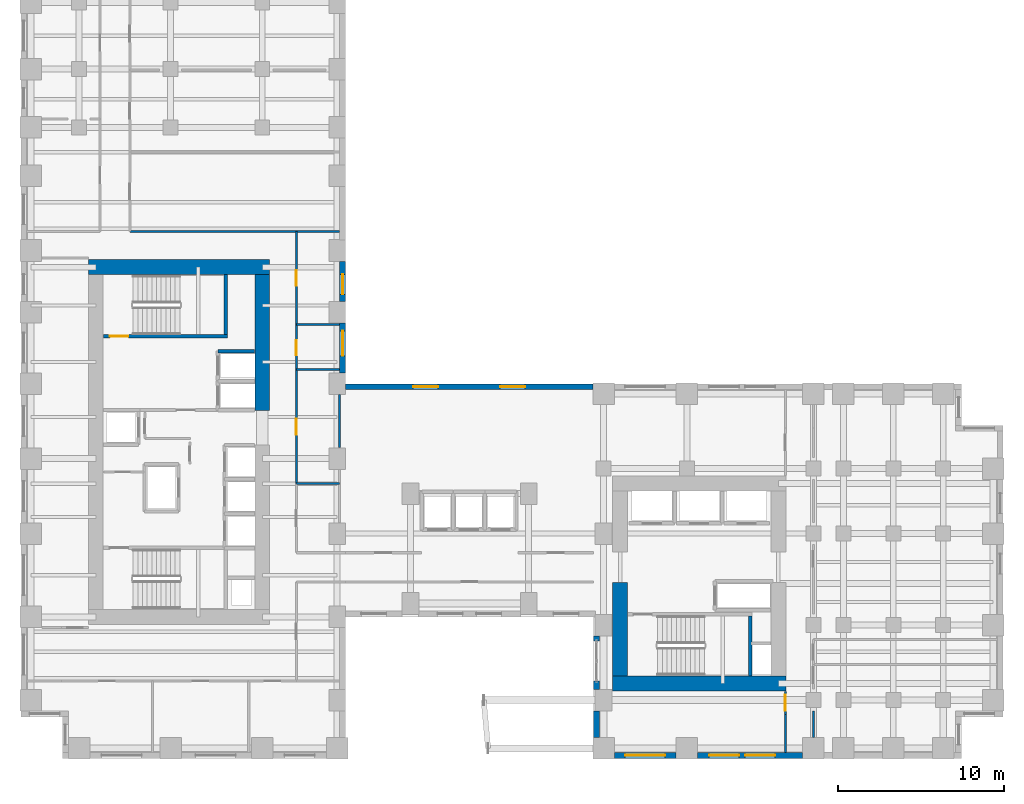
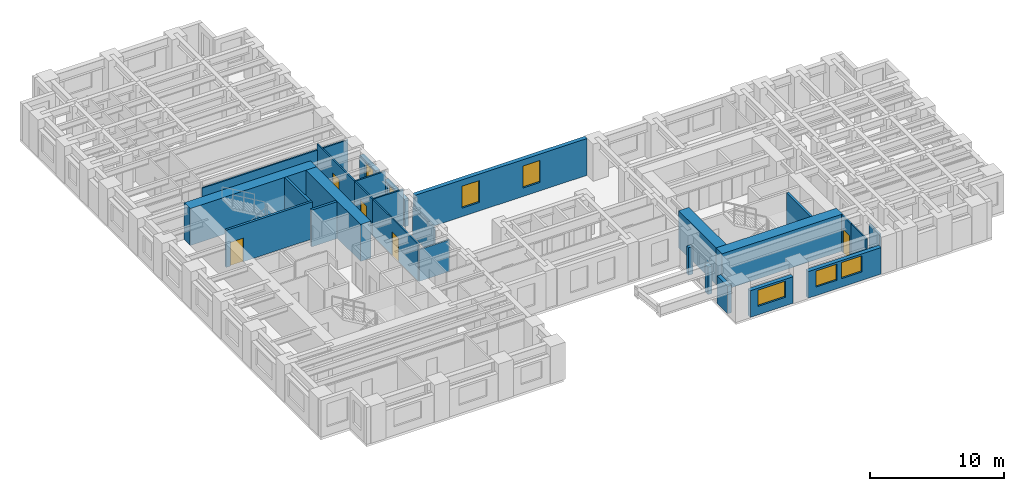
# One storey, part 9 of 14: 27 walls, 7 windows, 5 doors, 12 openings.
"""IFC4 building model written with IfcOpenShell, lengths in metres."""

from ifc_helpers import new_model, si_unit, direction, frame, frame_2d, origin, place, context, subcontext, project, spatial, rectangle, extrude, source, transform, mapped, material, layer, layer_set, type_object, element, fill, save


model = new_model("IFC4")

# Units and contexts
model_context = context("Model", 3, precision=1e-05, world=origin(), true_north=direction((0.0, 1.0)))
body_context = subcontext(model_context, "Body", "Model", "MODEL_VIEW")
ifc_project = project(units=[si_unit("LENGTHUNIT", "METRE"), si_unit("AREAUNIT", "SQUARE_METRE"), si_unit("VOLUMEUNIT", "CUBIC_METRE"), si_unit("PLANEANGLEUNIT", "RADIAN"), si_unit("MASSUNIT", "GRAM", prefix="KILO")], contexts=[model_context])

# Site, building, storey
site_placement = place(None, origin())
site = spatial("IfcSite", under=ifc_project, at=site_placement, CompositionType="ELEMENT")
building_placement = place(site_placement, origin())
building = spatial("IfcBuilding", under=site, at=building_placement, Name="Kharzan Plaza Tower", CompositionType="ELEMENT")
storey_placement = place(building_placement, frame((0.0, 0.0, 44.10009765625)))
storey = spatial("IfcBuildingStorey", under=building, at=storey_placement, Name="L11", CompositionType="ELEMENT", Elevation=44.10009765625)

# Wall, opening, window
ifc_material_1 = material(Name="Concrete C40/50", Category="concrete")
ifc_layer_1 = layer(ifc_material_1, 0.35009765625)
ifc_layer_set_1 = layer_set([ifc_layer_1], Name="Concrete C40/50")
wall_type_1 = type_object("IfcWallType", Name="WL-EXT-MAS-Z1", PredefinedType="SOLIDWALL", material=ifc_layer_set_1)
wall_1_placement = place(storey_placement, frame((35.64794921875, 0.175048828125, 0.0), z_axis=(0.0, 0.0, 1.0), x_axis=(1.0, 0.0, 0.0)))
wall_1 = element("IfcWall", 1, at=wall_1_placement, inside=storey, type_object=wall_type_1, Name="L11 Masonry-Frame Exterior Wall 34", PredefinedType="SOLIDWALL", context=body_context, shape_type="SweptSolid", body=[
    extrude(rectangle(XDim=3.7041015625, YDim=0.35009765625, at=frame_2d((1.85205078125, 0.0))), origin(), (0.0, 0.0, 1.0), 2.427978515625),
])
opening_1_placement = place(wall_1_placement, frame((0.652099609375, 0.0, 0.780029296875)))
opening_1 = element("IfcOpeningElement", 2, at=opening_1_placement, cuts=wall_1, Name="Opening W2", PredefinedType="OPENING", context=body_context, shape_type="SweptSolid", body=[
    extrude(rectangle(XDim=2.39990234375, YDim=1.468017578125, at=frame_2d((1.199951171875, 0.73388671875))), frame((0.0, 0.18505859375, 0.0), z_axis=(0.0, -1.0, 0.0), x_axis=(1.0, 0.0, 0.0)), (0.0, 0.0, 1.0), 0.3701171875),
])
ifc_material_2 = material(Name="Low-E Double Glazing", Category="glass")
window_type_1 = type_object("IfcWindowType", Name="WN-REC-2400x2100", PartitioningType="SINGLE_PANEL", PredefinedType="WINDOW", material=ifc_material_2)
shared_shape_1 = source(origin(), body_context, "Body", "SweptSolid", [
    extrude(rectangle(XDim=2.39990234375, YDim=1.468017578125, at=frame_2d((1.199951171875, 0.73388671875))), frame((0.0, 0.030029296875, 0.0), z_axis=(0.0, -1.0, 0.0), x_axis=(1.0, 0.0, 0.0)), (0.0, 0.0, 1.0), 0.06005859375),
])
window_1_placement = place(opening_1_placement, origin())
window_1 = element("IfcWindow", 3, at=window_1_placement, inside=storey, type_object=window_type_1, Name="L11 Wide Recessed Solar-Control Window 34-1", OverallHeight=1.468017578125, OverallWidth=2.39990234375, PartitioningType="SINGLE_PANEL", PredefinedType="WINDOW", context=body_context, shape_type="MappedRepresentation", body=[
    mapped(shared_shape_1, transform((0.0, 0.0, 0.0), x_axis=(1.0, 0.0, 0.0), y_axis=(0.0, 1.0, 0.0), z_axis=(0.0, 0.0, 1.0))),
])
fill(opening_1, window_1)

# Wall, openings, windows
wall_2_placement = place(storey_placement, frame((40.64794921875, 0.175048828125, 0.0), z_axis=(0.0, 0.0, 1.0), x_axis=(1.0, 0.0, 0.0)))
wall_2 = element("IfcWall", 4, at=wall_2_placement, inside=storey, type_object=wall_type_1, Name="L11 Masonry-Frame Exterior Wall 35", PredefinedType="SOLIDWALL", context=body_context, shape_type="SweptSolid", body=[
    extrude(rectangle(XDim=6.303955078125, YDim=0.35009765625, at=frame_2d((3.15185546875, 0.0))), origin(), (0.0, 0.0, 1.0), 2.427978515625),
])
opening_2_placement = place(wall_2_placement, frame((0.687255859375, 0.0, 0.780029296875)))
opening_2 = element("IfcOpeningElement", 5, at=opening_2_placement, cuts=wall_2, Name="Opening W1", PredefinedType="OPENING", context=body_context, shape_type="SweptSolid", body=[
    extrude(rectangle(XDim=1.800048828125, YDim=1.468017578125, at=frame_2d((0.89990234375, 0.73388671875))), frame((0.0, 0.18505859375, 0.0), z_axis=(0.0, -1.0, 0.0), x_axis=(1.0, 0.0, 0.0)), (0.0, 0.0, 1.0), 0.3701171875),
])
opening_3_placement = place(wall_2_placement, frame((2.854736328125, 0.0, 0.780029296875)))
opening_3 = element("IfcOpeningElement", 6, at=opening_3_placement, cuts=wall_2, Name="Opening W1", PredefinedType="OPENING", context=body_context, shape_type="SweptSolid", body=[
    extrude(rectangle(XDim=1.800048828125, YDim=1.468017578125, at=frame_2d((0.89990234375, 0.73388671875))), frame((0.0, 0.18505859375, 0.0), z_axis=(0.0, -1.0, 0.0), x_axis=(1.0, 0.0, 0.0)), (0.0, 0.0, 1.0), 0.3701171875),
])
window_type_2 = type_object("IfcWindowType", Name="WN-REC-1800x2100", PartitioningType="SINGLE_PANEL", PredefinedType="WINDOW", material=ifc_material_2)
shared_shape_2 = source(origin(), body_context, "Body", "SweptSolid", [
    extrude(rectangle(XDim=1.800048828125, YDim=1.468017578125, at=frame_2d((0.89990234375, 0.73388671875))), frame((0.0, 0.030029296875, 0.0), z_axis=(0.0, -1.0, 0.0), x_axis=(1.0, 0.0, 0.0)), (0.0, 0.0, 1.0), 0.06005859375),
])
window_2_placement = place(opening_2_placement, origin())
window_2 = element("IfcWindow", 7, at=window_2_placement, inside=storey, type_object=window_type_2, Name="L11 Recessed Solar-Control Window 35-1", OverallHeight=1.468017578125, OverallWidth=1.800048828125, PartitioningType="SINGLE_PANEL", PredefinedType="WINDOW", context=body_context, shape_type="MappedRepresentation", body=[
    mapped(shared_shape_2, transform((0.0, 0.0, 0.0), x_axis=(1.0, 0.0, 0.0), y_axis=(0.0, 1.0, 0.0), z_axis=(0.0, 0.0, 1.0))),
])
fill(opening_2, window_2)
window_3_placement = place(opening_3_placement, origin())
window_3 = element("IfcWindow", 8, at=window_3_placement, inside=storey, type_object=window_type_2, Name="L11 Recessed Solar-Control Window 35-2", OverallHeight=1.468017578125, OverallWidth=1.800048828125, PartitioningType="SINGLE_PANEL", PredefinedType="WINDOW", context=body_context, shape_type="MappedRepresentation", body=[
    mapped(shared_shape_2, transform((0.0, 0.0, 0.0), x_axis=(1.0, 0.0, 0.0), y_axis=(0.0, 1.0, 0.0), z_axis=(0.0, 0.0, 1.0))),
])
fill(opening_3, window_3)

wall_3_placement = place(storey_placement, frame((34.35205078125, 22.324951171875, 0.0), z_axis=(0.0, 0.0, 1.0), x_axis=(-1.0, 0.0, 0.0)))
wall_3 = element("IfcWall", 9, at=wall_3_placement, inside=storey, type_object=wall_type_1, Name="L11 Masonry-Frame Exterior Wall 54", PredefinedType="SOLIDWALL", context=body_context, shape_type="SweptSolid", body=[
    extrude(rectangle(XDim=14.85400390625, YDim=0.35009765625, at=frame_2d((7.427001953125, 0.0))), origin(), (0.0, 0.0, 1.0), 3.364990234375),
])
opening_4_placement = place(wall_3_placement, frame((4.05810546875, 0.0, 0.780029296875)))
opening_4 = element("IfcOpeningElement", 10, at=opening_4_placement, cuts=wall_3, Name="Opening W5", PredefinedType="OPENING", context=body_context, shape_type="SweptSolid", body=[
    extrude(rectangle(XDim=1.5, YDim=2.0, at=frame_2d((0.75, 1.0))), frame((0.0, 0.18505859375, 0.0), z_axis=(0.0, -1.0, 0.0), x_axis=(1.0, 0.0, 0.0)), (0.0, 0.0, 1.0), 0.3701171875),
])
opening_5_placement = place(wall_3_placement, frame((9.2958984375, 0.0, 0.780029296875)))
opening_5 = element("IfcOpeningElement", 11, at=opening_5_placement, cuts=wall_3, Name="Opening W5", PredefinedType="OPENING", context=body_context, shape_type="SweptSolid", body=[
    extrude(rectangle(XDim=1.5, YDim=2.0, at=frame_2d((0.75, 1.0))), frame((0.0, 0.18505859375, 0.0), z_axis=(0.0, -1.0, 0.0), x_axis=(1.0, 0.0, 0.0)), (0.0, 0.0, 1.0), 0.3701171875),
])
window_type_3 = type_object("IfcWindowType", Name="WN-SLT-1500x2000", PartitioningType="SINGLE_PANEL", PredefinedType="WINDOW", material=ifc_material_2)
shared_shape_3 = source(origin(), body_context, "Body", "SweptSolid", [
    extrude(rectangle(XDim=1.5, YDim=2.0, at=frame_2d((0.75, 1.0))), frame((0.0, 0.030029296875, 0.0), z_axis=(0.0, -1.0, 0.0), x_axis=(1.0, 0.0, 0.0)), (0.0, 0.0, 1.0), 0.06005859375),
])
window_4_placement = place(opening_4_placement, origin())
window_4 = element("IfcWindow", 12, at=window_4_placement, inside=storey, type_object=window_type_3, Name="L11 Recessed Solar-Control Window 54-1", OverallHeight=2.0, OverallWidth=1.5, PartitioningType="SINGLE_PANEL", PredefinedType="WINDOW", context=body_context, shape_type="MappedRepresentation", body=[
    mapped(shared_shape_3, transform((0.0, 0.0, 0.0), x_axis=(1.0, 0.0, 0.0), y_axis=(0.0, 1.0, 0.0), z_axis=(0.0, 0.0, 1.0))),
])
fill(opening_4, window_4)
window_5_placement = place(opening_5_placement, origin())
window_5 = element("IfcWindow", 13, at=window_5_placement, inside=storey, type_object=window_type_3, Name="L11 Recessed Solar-Control Window 54-2", OverallHeight=2.0, OverallWidth=1.5, PartitioningType="SINGLE_PANEL", PredefinedType="WINDOW", context=body_context, shape_type="MappedRepresentation", body=[
    mapped(shared_shape_3, transform((0.0, 0.0, 0.0), x_axis=(1.0, 0.0, 0.0), y_axis=(0.0, 1.0, 0.0), z_axis=(0.0, 0.0, 1.0))),
])
fill(opening_5, window_5)

# Wall, opening, window
wall_4_placement = place(storey_placement, frame((19.324951171875, 23.14794921875, 0.0), z_axis=(0.0, 0.0, 1.0), x_axis=(0.0, 1.0, 0.0)))
wall_4 = element("IfcWall", 14, at=wall_4_placement, inside=storey, type_object=wall_type_1, Name="L11 Masonry-Frame Exterior Wall 55", PredefinedType="SOLIDWALL", context=body_context, shape_type="SweptSolid", body=[
    extrude(rectangle(XDim=3.004150390625, YDim=0.35009765625, at=frame_2d((1.501953125, 0.0))), origin(), (0.0, 0.0, 1.0), 2.510009765625),
])
opening_6_placement = place(wall_4_placement, frame((1.030517578125, 0.0, 0.780029296875)))
opening_6 = element("IfcOpeningElement", 15, at=opening_6_placement, cuts=wall_4, Name="Opening W5", PredefinedType="OPENING", context=body_context, shape_type="SweptSolid", body=[
    extrude(rectangle(XDim=1.5, YDim=1.550048828125, at=frame_2d((0.75, 0.77490234375))), frame((0.0, 0.18505859375, 0.0), z_axis=(0.0, -1.0, 0.0), x_axis=(1.0, 0.0, 0.0)), (0.0, 0.0, 1.0), 0.3701171875),
])
shared_shape_4 = source(origin(), body_context, "Body", "SweptSolid", [
    extrude(rectangle(XDim=1.5, YDim=1.550048828125, at=frame_2d((0.75, 0.77490234375))), frame((0.0, 0.030029296875, 0.0), z_axis=(0.0, -1.0, 0.0), x_axis=(1.0, 0.0, 0.0)), (0.0, 0.0, 1.0), 0.06005859375),
])
window_6_placement = place(opening_6_placement, origin())
window_6 = element("IfcWindow", 16, at=window_6_placement, inside=storey, type_object=window_type_3, Name="L11 Recessed Solar-Control Window 55-1", OverallHeight=1.550048828125, OverallWidth=1.5, PartitioningType="SINGLE_PANEL", PredefinedType="WINDOW", context=body_context, shape_type="MappedRepresentation", body=[
    mapped(shared_shape_4, transform((0.0, 0.0, 0.0), x_axis=(1.0, 0.0, 0.0), y_axis=(0.0, 1.0, 0.0), z_axis=(0.0, 0.0, 1.0))),
])
fill(opening_6, window_6)

wall_5_placement = place(storey_placement, frame((19.324951171875, 27.447998046875, 0.0), z_axis=(0.0, 0.0, 1.0), x_axis=(0.0, 1.0, 0.0)))
wall_5 = element("IfcWall", 17, at=wall_5_placement, inside=storey, type_object=wall_type_1, Name="L11 Masonry-Frame Exterior Wall 56", PredefinedType="SOLIDWALL", context=body_context, shape_type="SweptSolid", body=[
    extrude(rectangle(XDim=2.404052734375, YDim=0.35009765625, at=frame_2d((1.2021484375, 0.0))), origin(), (0.0, 0.0, 1.0), 2.510009765625),
])
opening_7_placement = place(wall_5_placement, frame((0.417236328125, 0.0, 0.780029296875)))
opening_7 = element("IfcOpeningElement", 18, at=opening_7_placement, cuts=wall_5, Name="Opening W3", PredefinedType="OPENING", context=body_context, shape_type="SweptSolid", body=[
    extrude(rectangle(XDim=1.199951171875, YDim=1.550048828125, at=frame_2d((0.60009765625, 0.77490234375))), frame((0.0, 0.18505859375, 0.0), z_axis=(0.0, -1.0, 0.0), x_axis=(1.0, 0.0, 0.0)), (0.0, 0.0, 1.0), 0.3701171875),
])
window_type_4 = type_object("IfcWindowType", Name="WN-REC-1200x2100", PartitioningType="SINGLE_PANEL", PredefinedType="WINDOW", material=ifc_material_2)
shared_shape_5 = source(origin(), body_context, "Body", "SweptSolid", [
    extrude(rectangle(XDim=1.199951171875, YDim=1.550048828125, at=frame_2d((0.60009765625, 0.77490234375))), frame((0.0, 0.030029296875, 0.0), z_axis=(0.0, -1.0, 0.0), x_axis=(1.0, 0.0, 0.0)), (0.0, 0.0, 1.0), 0.06005859375),
])
window_7_placement = place(opening_7_placement, origin())
window_7 = element("IfcWindow", 19, at=window_7_placement, inside=storey, type_object=window_type_4, Name="L11 Recessed Solar-Control Window 56-1", OverallHeight=1.550048828125, OverallWidth=1.199951171875, PartitioningType="SINGLE_PANEL", PredefinedType="WINDOW", context=body_context, shape_type="MappedRepresentation", body=[
    mapped(shared_shape_5, transform((0.0, 0.0, 0.0), x_axis=(1.0, 0.0, 0.0), y_axis=(0.0, 1.0, 0.0), z_axis=(0.0, 0.0, 1.0))),
])
fill(opening_7, window_7)

# Wall, opening, door
ifc_material_3 = material(Name="Fire-Rated Gypsum Board Partition", Category="gypsum")
ifc_layer_2 = layer(ifc_material_3, 0.125)
ifc_layer_set_2 = layer_set([ifc_layer_2], Name="Fire-Rated Gypsum Board Partition")
wall_type_2 = type_object("IfcWallType", Name="WL-INT-PART-125", PredefinedType="PARTITIONING", material=ifc_layer_set_2)
wall_6_placement = place(storey_placement, frame((16.550048828125, 16.5, 0.0), z_axis=(0.0, 0.0, 1.0), x_axis=(0.0, 1.0, 0.0)))
wall_6 = element("IfcWall", 20, at=wall_6_placement, inside=storey, type_object=wall_type_2, Name="L11 Interior Partition SH-AEWN2", PredefinedType="PARTITIONING", context=body_context, shape_type="SweptSolid", body=[
    extrude(rectangle(XDim=6.85009765625, YDim=0.125, at=frame_2d((3.425048828125, 0.0))), origin(), (0.0, 0.0, 1.0), 3.364990234375),
])
opening_8_placement = place(wall_6_placement, frame((2.949951171875, 0.0, 0.0)))
opening_8 = element("IfcOpeningElement", 21, at=opening_8_placement, cuts=wall_6, Name="Opening OD1", PredefinedType="OPENING", context=body_context, shape_type="SweptSolid", body=[
    extrude(rectangle(XDim=0.949951171875, YDim=2.14990234375, at=frame_2d((0.47509765625, 1.074951171875))), frame((0.0, 0.072509765625, 0.0), z_axis=(0.0, -1.0, 0.0), x_axis=(1.0, 0.0, 0.0)), (0.0, 0.0, 1.0), 0.14501953125),
])
ifc_material_4 = material(Name="Acoustic Solid-Core Stained Oak", Category="timber")
door_type_1 = type_object("IfcDoorType", Name="DR-OFF-SINGLE", OperationType="NOTDEFINED", PredefinedType="DOOR", material=ifc_material_4)
shared_shape_6 = source(origin(), body_context, "Body", "SweptSolid", [
    extrude(rectangle(XDim=0.949951171875, YDim=2.14990234375, at=frame_2d((0.47509765625, 1.074951171875))), frame((0.0, 0.02490234375, 0.0), z_axis=(0.0, -1.0, 0.0), x_axis=(1.0, 0.0, 0.0)), (0.0, 0.0, 1.0), 0.050048828125),
])
door_1_placement = place(opening_8_placement, origin())
door_1 = element("IfcDoor", 22, at=door_1_placement, inside=storey, type_object=door_type_1, Name="L11 Slot Studio Door", OperationType="SINGLE_SWING_LEFT", OverallHeight=2.14990234375, OverallWidth=0.949951171875, PredefinedType="DOOR", context=body_context, shape_type="MappedRepresentation", body=[
    mapped(shared_shape_6, transform((0.0, 0.0, 0.0), x_axis=(1.0, 0.0, 0.0), y_axis=(0.0, 1.0, 0.0), z_axis=(0.0, 0.0, 1.0))),
])
fill(opening_8, door_1)

wall_7_placement = place(storey_placement, frame((16.550048828125, 26.050048828125, 0.0), z_axis=(0.0, 0.0, 1.0), x_axis=(0.0, 1.0, 0.0)))
wall_7 = element("IfcWall", 23, at=wall_7_placement, inside=storey, type_object=wall_type_2, Name="L11 Interior Partition SH-AEWN3", PredefinedType="PARTITIONING", context=body_context, shape_type="SweptSolid", body=[
    extrude(rectangle(XDim=5.599853515625, YDim=0.125, at=frame_2d((2.7998046875, 0.0))), origin(), (0.0, 0.0, 1.0), 3.364990234375),
])
opening_9_placement = place(wall_7_placement, frame((2.324951171875, 0.0, 0.0)))
opening_9 = element("IfcOpeningElement", 24, at=opening_9_placement, cuts=wall_7, Name="Opening OD1", PredefinedType="OPENING", context=body_context, shape_type="SweptSolid", body=[
    extrude(rectangle(XDim=0.949951171875, YDim=2.14990234375, at=frame_2d((0.47509765625, 1.074951171875))), frame((0.0, 0.072509765625, 0.0), z_axis=(0.0, -1.0, 0.0), x_axis=(1.0, 0.0, 0.0)), (0.0, 0.0, 1.0), 0.14501953125),
])
door_2_placement = place(opening_9_placement, origin())
door_2 = element("IfcDoor", 25, at=door_2_placement, inside=storey, type_object=door_type_1, Name="L11 Staff Tea Point Door", OperationType="SINGLE_SWING_LEFT", OverallHeight=2.14990234375, OverallWidth=0.949951171875, PredefinedType="DOOR", context=body_context, shape_type="MappedRepresentation", body=[
    mapped(shared_shape_6, transform((0.0, 0.0, 0.0), x_axis=(1.0, 0.0, 0.0), y_axis=(0.0, 1.0, 0.0), z_axis=(0.0, 0.0, 1.0))),
])
fill(opening_9, door_2)

wall_8_placement = place(storey_placement, frame((16.550048828125, 23.35009765625, 0.0), z_axis=(0.0, 0.0, 1.0), x_axis=(0.0, 1.0, 0.0)))
wall_8 = element("IfcWall", 26, at=wall_8_placement, inside=storey, type_object=wall_type_2, Name="L11 Interior Partition SH-AEWW", PredefinedType="PARTITIONING", context=body_context, shape_type="SweptSolid", body=[
    extrude(rectangle(XDim=2.699951171875, YDim=0.125, at=frame_2d((1.35009765625, 0.0))), origin(), (0.0, 0.0, 1.0), 3.364990234375),
])
opening_10_placement = place(wall_8_placement, frame((0.875, 0.0, 0.0)))
opening_10 = element("IfcOpeningElement", 27, at=opening_10_placement, cuts=wall_8, Name="Opening WD1", PredefinedType="OPENING", context=body_context, shape_type="SweptSolid", body=[
    extrude(rectangle(XDim=0.89990234375, YDim=2.14990234375, at=frame_2d((0.449951171875, 1.074951171875))), frame((0.0, 0.072509765625, 0.0), z_axis=(0.0, -1.0, 0.0), x_axis=(1.0, 0.0, 0.0)), (0.0, 0.0, 1.0), 0.14501953125),
])
ifc_material_5 = material(Name="Moisture-Resistant Fire-Rated Laminate", Category="timber")
door_type_2 = type_object("IfcDoorType", Name="DR-WC-900", OperationType="NOTDEFINED", PredefinedType="DOOR", material=ifc_material_5)
shared_shape_7 = source(origin(), body_context, "Body", "SweptSolid", [
    extrude(rectangle(XDim=0.89990234375, YDim=2.14990234375, at=frame_2d((0.449951171875, 1.074951171875))), frame((0.0, 0.02490234375, 0.0), z_axis=(0.0, -1.0, 0.0), x_axis=(1.0, 0.0, 0.0)), (0.0, 0.0, 1.0), 0.050048828125),
])
door_3_placement = place(opening_10_placement, origin())
door_3 = element("IfcDoor", 28, at=door_3_placement, inside=storey, type_object=door_type_2, Name="L11 Wing A Washroom Door", OperationType="SINGLE_SWING_RIGHT", OverallHeight=2.14990234375, OverallWidth=0.89990234375, PredefinedType="DOOR", context=body_context, shape_type="MappedRepresentation", body=[
    mapped(shared_shape_7, transform((0.0, 0.0, 0.0), x_axis=(1.0, 0.0, 0.0), y_axis=(0.0, 1.0, 0.0), z_axis=(0.0, 0.0, 1.0))),
])
fill(opening_10, door_3)

wall_9_placement = place(storey_placement, frame((45.919921875, 2.64990234375, 0.0), z_axis=(0.0, 0.0, 1.0), x_axis=(0.0, 1.0, 0.0)))
wall_9 = element("IfcWall", 29, at=wall_9_placement, inside=storey, type_object=wall_type_2, Name="L11 Interior Partition SH-RBSE", PredefinedType="PARTITIONING", context=body_context, shape_type="SweptSolid", body=[
    extrude(rectangle(XDim=1.3701171875, YDim=0.125, at=frame_2d((0.68505859375, 0.0))), origin(), (0.0, 0.0, 1.0), 3.364990234375),
])
opening_11_placement = place(wall_9_placement, frame((0.22509765625, 0.0, 0.0)))
opening_11 = element("IfcOpeningElement", 30, at=opening_11_placement, cuts=wall_9, Name="Opening OD1", PredefinedType="OPENING", context=body_context, shape_type="SweptSolid", body=[
    extrude(rectangle(XDim=0.949951171875, YDim=2.14990234375, at=frame_2d((0.47509765625, 1.074951171875))), frame((0.0, 0.072509765625, 0.0), z_axis=(0.0, -1.0, 0.0), x_axis=(1.0, 0.0, 0.0)), (0.0, 0.0, 1.0), 0.14501953125),
])
door_4_placement = place(opening_11_placement, origin())
door_4 = element("IfcDoor", 31, at=door_4_placement, inside=storey, type_object=door_type_1, Name="L11 South-East Corner Office Door", OperationType="SINGLE_SWING_LEFT", OverallHeight=2.14990234375, OverallWidth=0.949951171875, PredefinedType="DOOR", context=body_context, shape_type="MappedRepresentation", body=[
    mapped(shared_shape_6, transform((0.0, 0.0, 0.0), x_axis=(1.0, 0.0, 0.0), y_axis=(0.0, 1.0, 0.0), z_axis=(0.0, 0.0, 1.0))),
])
fill(opening_11, door_4)

ifc_material_6 = material(Name="Concrete C50/60", Category="concrete")
ifc_layer_3 = layer(ifc_material_6, 0.199951171875)
ifc_layer_set_3 = layer_set([ifc_layer_3], Name="Concrete C50/60")
wall_type_3 = type_object("IfcWallType", Name="WL-SHAFT-RC200", PredefinedType="SHEAR", material=ifc_layer_set_3)
wall_10_placement = place(storey_placement, frame((4.951904296875, 25.344970703125, 0.0), z_axis=(0.0, 0.0, 1.0), x_axis=(1.0, 0.0, 0.0)))
wall_10 = element("IfcWall", 32, at=wall_10_placement, inside=storey, type_object=wall_type_3, Name="L11 Stair ST-2 South RC Shaft Wall", PredefinedType="SHEAR", context=body_context, shape_type="SweptSolid", body=[
    extrude(rectangle(XDim=7.453125, YDim=0.199951171875, at=frame_2d((3.7265625, 0.0))), origin(), (0.0, 0.0, 1.0), 3.3798828125),
])
opening_12_placement = place(wall_10_placement, frame((0.39990234375, 0.0, 0.0)))
opening_12 = element("IfcOpeningElement", 33, at=opening_12_placement, cuts=wall_10, Name="Opening SD1", PredefinedType="OPENING", context=body_context, shape_type="SweptSolid", body=[
    extrude(rectangle(XDim=1.10009765625, YDim=2.14990234375, at=frame_2d((0.550048828125, 1.074951171875))), frame((0.0, 0.10986328125, 0.0), z_axis=(0.0, -1.0, 0.0), x_axis=(1.0, 0.0, 0.0)), (0.0, 0.0, 1.0), 0.219970703125),
])
ifc_material_7 = material(Name="Fire-Rated Hollow Galvanized Steel", Category="steel")
door_type_3 = type_object("IfcDoorType", Name="DR-STAIR-FD120", OperationType="NOTDEFINED", PredefinedType="DOOR", material=ifc_material_7)
shared_shape_8 = source(origin(), body_context, "Body", "SweptSolid", [
    extrude(rectangle(XDim=1.10009765625, YDim=2.14990234375, at=frame_2d((0.550048828125, 1.074951171875))), frame((0.0, 0.02490234375, 0.0), z_axis=(0.0, -1.0, 0.0), x_axis=(1.0, 0.0, 0.0)), (0.0, 0.0, 1.0), 0.050048828125),
])
door_5_placement = place(opening_12_placement, origin())
door_5 = element("IfcDoor", 34, at=door_5_placement, inside=storey, type_object=door_type_3, Name="L11 Stair ST-2 Fire Exit Door", OperationType="SINGLE_SWING_LEFT", OverallHeight=2.14990234375, OverallWidth=1.10009765625, PredefinedType="DOOR", context=body_context, shape_type="MappedRepresentation", body=[
    mapped(shared_shape_8, transform((0.0, 0.0, 0.0), x_axis=(1.0, 0.0, 0.0), y_axis=(0.0, 1.0, 0.0), z_axis=(0.0, 0.0, 1.0))),
])
fill(opening_12, door_5)

# Walls
ifc_material_8 = material(Name="Concrete C60/75", Category="concrete")
ifc_layer_4 = layer(ifc_material_8, 0.89990234375)
ifc_layer_set_4 = layer_set([ifc_layer_4], Name="Concrete C60/75")
wall_type_4 = type_object("IfcWallType", Name="WL-CORE-900", PredefinedType="SHEAR", material=ifc_layer_set_4)
shared_shape_9 = source(origin(), body_context, "Body", "SweptSolid", [
    extrude(rectangle(XDim=8.170166015625, YDim=0.89990234375, at=frame_2d((4.0849609375, 0.0))), origin(), (0.0, 0.0, 1.0), 3.3798828125),
])
wall_11_placement = place(storey_placement, frame((14.5, 20.8798828125, 0.0), z_axis=(0.0, 0.0, 1.0), x_axis=(0.0, 1.0, 0.0)))
element("IfcWall", 35, at=wall_11_placement, inside=storey, type_object=wall_type_4, Name="L11 CORE-A east shear pier 2", PredefinedType="SHEAR", context=body_context, shape_type="MappedRepresentation", body=[
    mapped(shared_shape_9, transform((0.0, 0.0, 0.0), x_axis=(1.0, 0.0, 0.0), y_axis=(0.0, 1.0, 0.0), z_axis=(0.0, 0.0, 1.0))),
])
shared_shape_10 = source(origin(), body_context, "Body", "SweptSolid", [
    extrude(rectangle(XDim=10.89990234375, YDim=0.89990234375, at=frame_2d((5.449951171875, 0.0))), origin(), (0.0, 0.0, 1.0), 3.3798828125),
])
wall_12_placement = place(storey_placement, frame((4.050048828125, 29.5, 0.0), z_axis=(0.0, 0.0, 1.0), x_axis=(1.0, 0.0, 0.0)))
element("IfcWall", 36, at=wall_12_placement, inside=storey, type_object=wall_type_4, Name="L11 CORE-A north RC shear wall", PredefinedType="SHEAR", context=body_context, shape_type="MappedRepresentation", body=[
    mapped(shared_shape_10, transform((0.0, 0.0, 0.0), x_axis=(1.0, 0.0, 0.0), y_axis=(0.0, 1.0, 0.0), z_axis=(0.0, 0.0, 1.0))),
])
shared_shape_11 = source(origin(), body_context, "Body", "SweptSolid", [
    extrude(rectangle(XDim=5.60009765625, YDim=0.89990234375, at=frame_2d((2.800048828125, 0.0))), origin(), (0.0, 0.0, 1.0), 3.3798828125),
])
wall_13_placement = place(storey_placement, frame((36.0, 4.949951171875, 0.0), z_axis=(0.0, 0.0, 1.0), x_axis=(0.0, 1.0, 0.0)))
element("IfcWall", 37, at=wall_13_placement, inside=storey, type_object=wall_type_4, Name="L11 CORE-B west shear pier 1", PredefinedType="SHEAR", context=body_context, shape_type="MappedRepresentation", body=[
    mapped(shared_shape_11, transform((0.0, 0.0, 0.0), x_axis=(1.0, 0.0, 0.0), y_axis=(0.0, 1.0, 0.0), z_axis=(0.0, 0.0, 1.0))),
])
shared_shape_12 = source(origin(), body_context, "Body", "SweptSolid", [
    extrude(rectangle(XDim=10.39990234375, YDim=0.89990234375, at=frame_2d((5.199951171875, 0.0))), origin(), (0.0, 0.0, 1.0), 3.3798828125),
])
wall_14_placement = place(storey_placement, frame((35.550048828125, 4.5, 0.0), z_axis=(0.0, 0.0, 1.0), x_axis=(1.0, 0.0, 0.0)))
element("IfcWall", 38, at=wall_14_placement, inside=storey, type_object=wall_type_4, Name="L11 CORE-B south RC shear wall", PredefinedType="SHEAR", context=body_context, shape_type="MappedRepresentation", body=[
    mapped(shared_shape_12, transform((0.0, 0.0, 0.0), x_axis=(1.0, 0.0, 0.0), y_axis=(0.0, 1.0, 0.0), z_axis=(0.0, 0.0, 1.0))),
])
shared_shape_13 = source(origin(), body_context, "Body", "SweptSolid", [
    extrude(rectangle(XDim=1.60400390625, YDim=0.35009765625, at=frame_2d((0.802001953125, 0.0))), origin(), (0.0, 0.0, 1.0), 2.510009765625),
])
wall_15_placement = place(storey_placement, frame((34.574951171875, 2.85205078125, 0.0), z_axis=(0.0, 0.0, 1.0), x_axis=(0.0, -1.0, 0.0)))
element("IfcWall", 39, at=wall_15_placement, inside=storey, type_object=wall_type_1, Name="L11 Masonry-Frame Exterior Wall 33", PredefinedType="SOLIDWALL", context=body_context, shape_type="MappedRepresentation", body=[
    mapped(shared_shape_13, transform((0.0, 0.0, 0.0), x_axis=(1.0, 0.0, 0.0), y_axis=(0.0, 1.0, 0.0), z_axis=(0.0, 0.0, 1.0))),
])
shared_shape_14 = source(origin(), body_context, "Body", "SweptSolid", [
    extrude(rectangle(XDim=2.599853515625, YDim=0.125, at=frame_2d((1.2998046875, 0.0))), origin(), (0.0, 0.0, 1.0), 2.89599609375),
])
wall_16_placement = place(storey_placement, frame((16.550048828125, 16.5, 0.0), z_axis=(0.0, 0.0, 1.0), x_axis=(1.0, 0.0, 0.0)))
element("IfcWall", 40, at=wall_16_placement, inside=storey, type_object=wall_type_2, Name="L11 Interior Partition SH-AEH-165", PredefinedType="PARTITIONING", context=body_context, shape_type="MappedRepresentation", body=[
    mapped(shared_shape_14, transform((0.0, 0.0, 0.0), x_axis=(1.0, 0.0, 0.0), y_axis=(0.0, 1.0, 0.0), z_axis=(0.0, 0.0, 1.0))),
])
shared_shape_15 = source(origin(), body_context, "Body", "SweptSolid", [
    extrude(rectangle(XDim=2.597900390625, YDim=0.125, at=frame_2d((1.298828125, 0.0))), origin(), (0.0, 0.0, 1.0), 3.364990234375),
])
for number, where, z_axis, x_axis, name in (
    (41, (16.550048828125, 23.35009765625, 0.0), (0.0, 0.0, 1.0), (1.0, 0.0, 0.0), "L11 Interior Partition SH-AEH-233"),
    (42, (16.550048828125, 26.050048828125, 0.0), (0.0, 0.0, 1.0), (1.0, 0.0, 0.0), "L11 Interior Partition SH-AEH-260"),
):
    element("IfcWall", number, at=place(storey_placement, frame(where, z_axis=z_axis, x_axis=x_axis)), inside=storey, type_object=wall_type_2, Name=name, PredefinedType="PARTITIONING", context=body_context, shape_type="MappedRepresentation", body=[
        mapped(shared_shape_15, transform((0.0, 0.0, 0.0), x_axis=(1.0, 0.0, 0.0), y_axis=(0.0, 1.0, 0.0), z_axis=(0.0, 0.0, 1.0))),
    ])
shared_shape_16 = source(origin(), body_context, "Body", "SweptSolid", [
    extrude(rectangle(XDim=3.18017578125, YDim=0.125, at=frame_2d((1.590087890625, 0.0))), origin(), (0.0, 0.0, 1.0), 2.669921875),
])
wall_17_placement = place(storey_placement, frame((19.14990234375, 18.659912109375, 0.0), z_axis=(0.0, 0.0, 1.0), x_axis=(0.0, 1.0, 0.0)))
element("IfcWall", 43, at=wall_17_placement, inside=storey, type_object=wall_type_2, Name="L11 Interior Partition SH-AEN-DIV-S2", PredefinedType="PARTITIONING", context=body_context, shape_type="MappedRepresentation", body=[
    mapped(shared_shape_16, transform((0.0, 0.0, 0.0), x_axis=(1.0, 0.0, 0.0), y_axis=(0.0, 1.0, 0.0), z_axis=(0.0, 0.0, 1.0))),
])
shared_shape_17 = source(origin(), body_context, "Body", "SweptSolid", [
    extrude(rectangle(XDim=1.580078125, YDim=0.125, at=frame_2d((0.7900390625, 0.0))), origin(), (0.0, 0.0, 1.0), 2.669921875),
])
wall_18_placement = place(storey_placement, frame((47.60009765625, 1.260009765625, 0.0), z_axis=(0.0, 0.0, 1.0), x_axis=(0.0, 1.0, 0.0)))
element("IfcWall", 44, at=wall_18_placement, inside=storey, type_object=wall_type_2, Name="L11 Interior Partition SH-B0W0S", PredefinedType="PARTITIONING", context=body_context, shape_type="MappedRepresentation", body=[
    mapped(shared_shape_17, transform((0.0, 0.0, 0.0), x_axis=(1.0, 0.0, 0.0), y_axis=(0.0, 1.0, 0.0), z_axis=(0.0, 0.0, 1.0))),
])
shared_shape_18 = source(origin(), body_context, "Body", "SweptSolid", [
    extrude(rectangle(XDim=12.597900390625, YDim=0.125, at=frame_2d((6.298828125, 0.0))), origin(), (0.0, 0.0, 1.0), 2.827880859375),
])
wall_19_placement = place(storey_placement, frame((6.550048828125, 31.64990234375, 0.0), z_axis=(0.0, 0.0, 1.0), x_axis=(1.0, 0.0, 0.0)))
element("IfcWall", 45, at=wall_19_placement, inside=storey, type_object=wall_type_2, Name="L11 Interior Partition SH-NNE", PredefinedType="PARTITIONING", context=body_context, shape_type="MappedRepresentation", body=[
    mapped(shared_shape_18, transform((0.0, 0.0, 0.0), x_axis=(1.0, 0.0, 0.0), y_axis=(0.0, 1.0, 0.0), z_axis=(0.0, 0.0, 1.0))),
])
shared_shape_19 = source(origin(), body_context, "Body", "SweptSolid", [
    extrude(rectangle(XDim=2.2978515625, YDim=0.125, at=frame_2d((1.14892578125, 0.0))), origin(), (0.0, 0.0, 1.0), 3.364990234375),
])
wall_20_placement = place(storey_placement, frame((45.919921875, 0.35205078125, 0.0), z_axis=(0.0, 0.0, 1.0), x_axis=(0.0, 1.0, 0.0)))
element("IfcWall", 46, at=wall_20_placement, inside=storey, type_object=wall_type_2, Name="L11 Interior Partition SH-RBSE0", PredefinedType="PARTITIONING", context=body_context, shape_type="MappedRepresentation", body=[
    mapped(shared_shape_19, transform((0.0, 0.0, 0.0), x_axis=(1.0, 0.0, 0.0), y_axis=(0.0, 1.0, 0.0), z_axis=(0.0, 0.0, 1.0))),
])
ifc_layer_5 = layer(ifc_material_1, 0.199951171875)
ifc_layer_set_5 = layer_set([ifc_layer_5], Name="Concrete C40/50")
wall_type_5 = type_object("IfcWallType", Name="WL-INT-SHAFT-200", PredefinedType="PARTITIONING", material=ifc_layer_set_5)
shared_shape_20 = source(origin(), body_context, "Body", "SweptSolid", [
    extrude(rectangle(XDim=2.18994140625, YDim=0.199951171875, at=frame_2d((1.094970703125, 0.0))), origin(), (0.0, 0.0, 1.0), 3.364990234375),
])
wall_21_placement = place(storey_placement, frame((11.830078125, 24.4599609375, 0.0), z_axis=(0.0, 0.0, 1.0), x_axis=(1.0, 0.0, 0.0)))
element("IfcWall", 47, at=wall_21_placement, inside=storey, type_object=wall_type_5, Name="L11 Interior Partition SHF-FFL-2-N", PredefinedType="PARTITIONING", context=body_context, shape_type="MappedRepresentation", body=[
    mapped(shared_shape_20, transform((0.0, 0.0, 0.0), x_axis=(1.0, 0.0, 0.0), y_axis=(0.0, 1.0, 0.0), z_axis=(0.0, 0.0, 1.0))),
])
shared_shape_21 = source(origin(), body_context, "Body", "SweptSolid", [
    extrude(rectangle(XDim=3.60302734375, YDim=0.199951171875, at=frame_2d((1.801513671875, 0.0))), origin(), (0.0, 0.0, 1.0), 3.3798828125),
])
for number, where, z_axis, x_axis, name in (
    (48, (12.304931640625, 25.445068359375, 0.0), (0.0, 0.0, 1.0), (0.0, 1.0, 0.0), "L11 Stair ST-2 East RC Shaft Wall"),
    (49, (43.804931640625, 4.951904296875, 0.0), (0.0, 0.0, 1.0), (0.0, 1.0, 0.0), "L11 Stair ST-3 East RC Shaft Wall"),
):
    element("IfcWall", number, at=place(storey_placement, frame(where, z_axis=z_axis, x_axis=x_axis)), inside=storey, type_object=wall_type_3, Name=name, PredefinedType="SHEAR", context=body_context, shape_type="MappedRepresentation", body=[
        mapped(shared_shape_21, transform((0.0, 0.0, 0.0), x_axis=(1.0, 0.0, 0.0), y_axis=(0.0, 1.0, 0.0), z_axis=(0.0, 0.0, 1.0))),
    ])
shared_shape_22 = source(origin(), body_context, "Body", "SweptSolid", [
    extrude(rectangle(XDim=0.302001953125, YDim=0.35009765625, at=frame_2d((0.15087890625, 0.0))), origin(), (0.0, 0.0, 1.0), 2.510009765625),
])
wall_22_placement = place(storey_placement, frame((34.574951171875, 7.35205078125, 0.0), z_axis=(0.0, 0.0, 1.0), x_axis=(0.0, -1.0, 0.0)))
element("IfcWall", 50, at=wall_22_placement, inside=storey, type_object=wall_type_1, Name="L11 Masonry-Frame Exterior Wall 31", PredefinedType="SOLIDWALL", context=body_context, shape_type="MappedRepresentation", body=[
    mapped(shared_shape_22, transform((0.0, 0.0, 0.0), x_axis=(1.0, 0.0, 0.0), y_axis=(0.0, 1.0, 0.0), z_axis=(0.0, 0.0, 1.0))),
])
shared_shape_23 = source(origin(), body_context, "Body", "SweptSolid", [
    extrude(rectangle(XDim=0.501953125, YDim=0.35009765625, at=frame_2d((0.2509765625, 0.0))), origin(), (0.0, 0.0, 1.0), 2.510009765625),
])
wall_23_placement = place(storey_placement, frame((34.574951171875, 4.64990234375, 0.0), z_axis=(0.0, 0.0, 1.0), x_axis=(0.0, -1.0, 0.0)))
element("IfcWall", 51, at=wall_23_placement, inside=storey, type_object=wall_type_1, Name="L11 Masonry-Frame Exterior Wall 32", PredefinedType="SOLIDWALL", context=body_context, shape_type="MappedRepresentation", body=[
    mapped(shared_shape_23, transform((0.0, 0.0, 0.0), x_axis=(1.0, 0.0, 0.0), y_axis=(0.0, 1.0, 0.0), z_axis=(0.0, 0.0, 1.0))),
])

save(model, "model.ifc")
